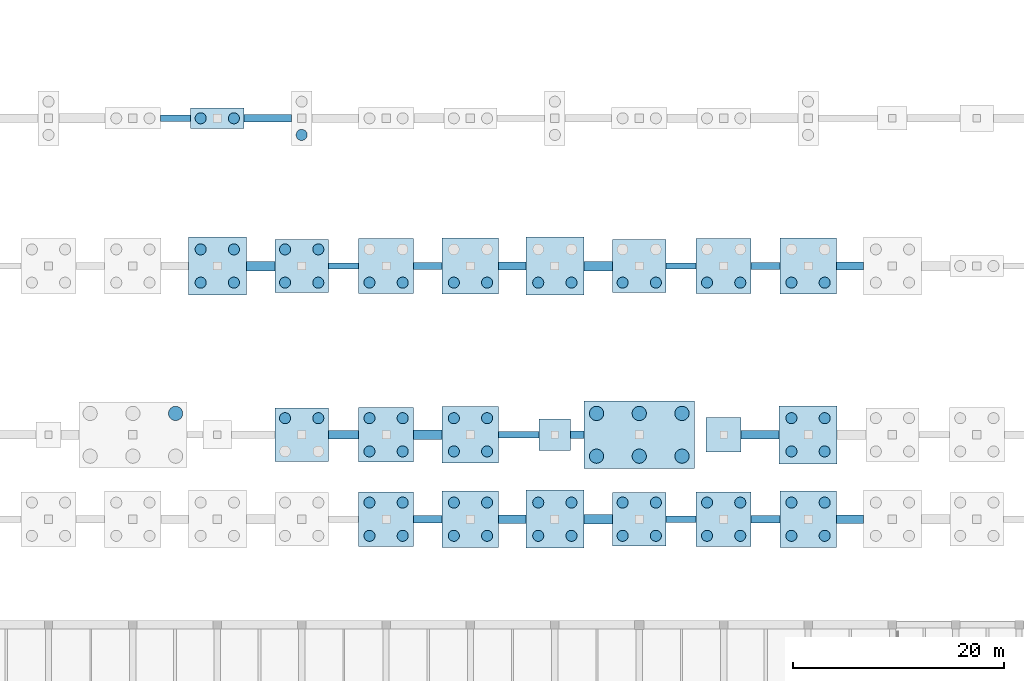
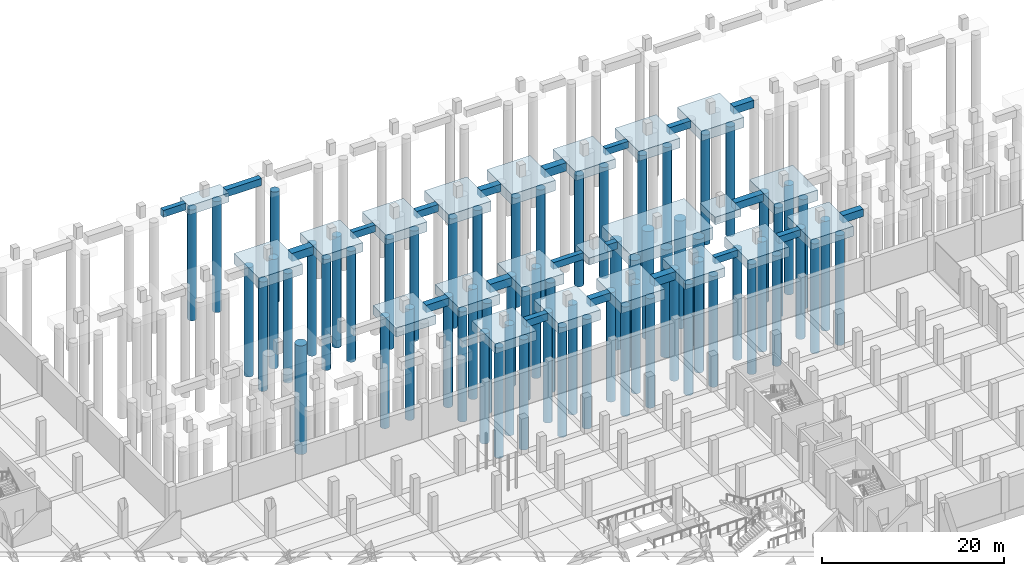
# One storey, part 2 of 36: 68 piles, 43 footings.
"""IFC4 building model written with IfcOpenShell, lengths in metres."""

from ifc_helpers import new_model, si_unit, direction, frame, origin, origin_2d, place, context, subcontext, project, spatial, rectangle, circle, extrude, material, material_profile, profile_set, type_object, element, save


model = new_model("IFC4")

# Units and contexts
model_context = context("Model", 3, precision=1e-05, world=origin(), true_north=direction((0.0, 1.0)))
body_context = subcontext(model_context, "Body", "Model", "MODEL_VIEW")
ifc_project = project(units=[si_unit("LENGTHUNIT", "METRE"), si_unit("AREAUNIT", "SQUARE_METRE"), si_unit("VOLUMEUNIT", "CUBIC_METRE"), si_unit("PLANEANGLEUNIT", "RADIAN"), si_unit("MASSUNIT", "GRAM", prefix="KILO")], contexts=[model_context])

# Site, building, storey
site_placement = place(None, origin())
site = spatial("IfcSite", under=ifc_project, at=site_placement, CompositionType="ELEMENT")
building_placement = place(site_placement, origin())
building = spatial("IfcBuilding", under=site, at=building_placement, Name="Verrall Gate Interchange", CompositionType="ELEMENT")
storey_placement = place(building_placement, frame((0.0, 0.0, -4.800048828125)))
storey = spatial("IfcBuildingStorey", under=building, at=storey_placement, Name="B1", CompositionType="ELEMENT", Elevation=-4.800048828125)

# Footings
ifc_material_1 = material(Name="Concrete CSA A23.1 35 MPa (Class S-2)", Category="concrete")
footing_type_1 = type_object("IfcFootingType", Name="PC-02A Pile Cap 5050x1950x1200", PredefinedType="PILE_CAP", material=ifc_material_1)
footing_1_placement = place(storey_placement, frame((68.0, 104.0, 2.0), z_axis=(0.0, 0.0, 1.0), x_axis=(1.0, 0.0, 0.0)))
element("IfcFooting", 1, at=footing_1_placement, inside=storey, type_object=footing_type_1, Name="Pile Cap FTG-CAP-45 (PC-02A)", PredefinedType="PILE_CAP", context=body_context, shape_type="SweptSolid", body=[
    extrude(rectangle(XDim=5.050048828125, YDim=1.949951171875, at=origin_2d()), origin(), (0.0, 0.0, 1.0), 1.199951171875),
])
ifc_material_2 = material(Name="Concrete CSA A23.1 35 MPa (Class S-2)", Category="concrete")
footing_type_2 = type_object("IfcFootingType", Name="PC-04A Pile Cap 5050x5050x1200", PredefinedType="PILE_CAP", material=ifc_material_2)
for number, where, z_axis, x_axis, name in (
    (2, (108.0, 66.0, 2.0), (0.0, 0.0, 1.0), (1.0, 0.0, 0.0), "Pile Cap FTG-CAP-11 (PC-04A)"),
    (3, (76.0, 74.0, 2.0), (0.0, 0.0, 1.0), (1.0, 0.0, 0.0), "Pile Cap FTG-CAP-19 (PC-04A)"),
    (4, (76.0, 90.0, 2.0), (0.0, 0.0, 1.0), (1.0, 0.0, 0.0), "Pile Cap FTG-CAP-31 (PC-04A)"),
    (5, (108.0, 90.0, 2.0), (0.0, 0.0, 1.0), (1.0, 0.0, 0.0), "Pile Cap FTG-CAP-35 (PC-04A)"),
):
    element("IfcFooting", number, at=place(storey_placement, frame(where, z_axis=z_axis, x_axis=x_axis)), inside=storey, type_object=footing_type_2, Name=name, PredefinedType="PILE_CAP", context=body_context, shape_type="SweptSolid", body=[
        extrude(rectangle(XDim=5.050048828125, YDim=5.050048828125, at=origin_2d()), origin(), (0.0, 0.0, 1.0), 1.199951171875),
    ])
ifc_material_3 = material(Name="Concrete CSA A23.1 35 MPa (Class S-2)", Category="concrete")
footing_type_3 = type_object("IfcFootingType", Name="PC-04B Pile Cap 5200x5200x1300", PredefinedType="PILE_CAP", material=ifc_material_3)
for number, where, z_axis, x_axis, name in (
    (6, (84.0, 66.0, 1.89990234375), (0.0, 0.0, 1.0), (1.0, 0.0, 0.0), "Pile Cap FTG-CAP-08 (PC-04B)"),
    (7, (116.0, 66.0, 1.89990234375), (0.0, 0.0, 1.0), (1.0, 0.0, 0.0), "Pile Cap FTG-CAP-12 (PC-04B)"),
    (8, (84.0, 74.0, 1.89990234375), (0.0, 0.0, 1.0), (1.0, 0.0, 0.0), "Pile Cap FTG-CAP-20 (PC-04B)"),
    (9, (84.0, 90.0, 1.89990234375), (0.0, 0.0, 1.0), (1.0, 0.0, 0.0), "Pile Cap FTG-CAP-32 (PC-04B)"),
    (10, (116.0, 90.0, 1.89990234375), (0.0, 0.0, 1.0), (1.0, 0.0, 0.0), "Pile Cap FTG-CAP-36 (PC-04B)"),
):
    element("IfcFooting", number, at=place(storey_placement, frame(where, z_axis=z_axis, x_axis=x_axis)), inside=storey, type_object=footing_type_3, Name=name, PredefinedType="PILE_CAP", context=body_context, shape_type="SweptSolid", body=[
        extrude(rectangle(XDim=5.199951171875, YDim=5.199951171875, at=origin_2d()), origin(), (0.0, 0.0, 1.0), 1.300048828125),
    ])
ifc_material_4 = material(Name="Concrete CSA A23.1 35 MPa (Class S-2)", Category="concrete")
footing_type_4 = type_object("IfcFootingType", Name="PC-04C Pile Cap 5350x5350x1350", PredefinedType="PILE_CAP", material=ifc_material_4)
for number, where, z_axis, x_axis, name in (
    (11, (92.0, 66.0, 1.85009765625), (0.0, 0.0, 1.0), (1.0, 0.0, 0.0), "Pile Cap FTG-CAP-09 (PC-04C)"),
    (12, (124.0, 66.0, 1.85009765625), (0.0, 0.0, 1.0), (1.0, 0.0, 0.0), "Pile Cap FTG-CAP-13 (PC-04C)"),
    (13, (92.0, 74.0, 1.85009765625), (0.0, 0.0, 1.0), (1.0, 0.0, 0.0), "Pile Cap FTG-CAP-21 (PC-04C)"),
    (14, (92.0, 90.0, 1.85009765625), (0.0, 0.0, 1.0), (1.0, 0.0, 0.0), "Pile Cap FTG-CAP-33 (PC-04C)"),
    (15, (124.0, 90.0, 1.85009765625), (0.0, 0.0, 1.0), (1.0, 0.0, 0.0), "Pile Cap FTG-CAP-37 (PC-04C)"),
):
    element("IfcFooting", number, at=place(storey_placement, frame(where, z_axis=z_axis, x_axis=x_axis)), inside=storey, type_object=footing_type_4, Name=name, PredefinedType="PILE_CAP", context=body_context, shape_type="SweptSolid", body=[
        extrude(rectangle(XDim=5.35009765625, YDim=5.35009765625, at=origin_2d()), origin(), (0.0, 0.0, 1.0), 1.35009765625),
    ])
ifc_material_5 = material(Name="Concrete CSA A23.1 35 MPa (Class S-2)", Category="concrete")
footing_type_5 = type_object("IfcFootingType", Name="PC-04D Pile Cap 5500x5500x1400", PredefinedType="PILE_CAP", material=ifc_material_5)
for number, where, z_axis, x_axis, name in (
    (16, (100.0, 66.0, 1.800048828125), (0.0, 0.0, 1.0), (1.0, 0.0, 0.0), "Pile Cap FTG-CAP-10 (PC-04D)"),
    (17, (124.0, 74.0, 1.800048828125), (0.0, 0.0, 1.0), (1.0, 0.0, 0.0), "Pile Cap FTG-CAP-22 (PC-04D)"),
    (18, (68.0, 90.0, 1.800048828125), (0.0, 0.0, 1.0), (1.0, 0.0, 0.0), "Pile Cap FTG-CAP-30 (PC-04D)"),
    (19, (100.0, 90.0, 1.800048828125), (0.0, 0.0, 1.0), (1.0, 0.0, 0.0), "Pile Cap FTG-CAP-34 (PC-04D)"),
):
    element("IfcFooting", number, at=place(storey_placement, frame(where, z_axis=z_axis, x_axis=x_axis)), inside=storey, type_object=footing_type_5, Name=name, PredefinedType="PILE_CAP", context=body_context, shape_type="SweptSolid", body=[
        extrude(rectangle(XDim=5.5, YDim=5.5, at=origin_2d()), origin(), (0.0, 0.0, 1.0), 1.39990234375),
    ])
ifc_material_6 = material(Name="Concrete CSA A23.1 35 MPa (Class S-2)", Category="concrete")
footing_type_6 = type_object("IfcFootingType", Name="PC-06B Pile Cap 10450x6400x1600", PredefinedType="PILE_CAP", material=ifc_material_6)
footing_2_placement = place(storey_placement, frame((108.0, 74.0, 1.60009765625), z_axis=(0.0, 0.0, 1.0), x_axis=(1.0, 0.0, 0.0)))
element("IfcFooting", 20, at=footing_2_placement, inside=storey, type_object=footing_type_6, Name="Pile Cap FTG-CAP-02 (PC-06B)", PredefinedType="PILE_CAP", context=body_context, shape_type="SweptSolid", body=[
    extrude(rectangle(XDim=10.449951171875, YDim=6.39990234375, at=origin_2d()), origin(), (0.0, 0.0, 1.0), 1.60009765625),
])
ifc_material_7 = material(Name="Concrete CSA A23.1 35 MPa (Class S-2)", Category="concrete")
footing_type_7 = type_object("IfcFootingType", Name="PF-03 Pad Footing 3000x3000x950", PredefinedType="PAD_FOOTING", material=ifc_material_7)
footing_3_placement = place(storey_placement, frame((100.0, 74.0, 2.25), z_axis=(0.0, 0.0, 1.0), x_axis=(1.0, 0.0, 0.0)))
element("IfcFooting", 21, at=footing_3_placement, inside=storey, type_object=footing_type_7, Name="Pad Footing FTG-PAD-03 (PF-03)", PredefinedType="PAD_FOOTING", context=body_context, shape_type="SweptSolid", body=[
    extrude(rectangle(XDim=3.0, YDim=3.0, at=origin_2d()), origin(), (0.0, 0.0, 1.0), 0.949951171875),
])
ifc_material_8 = material(Name="Concrete CSA A23.1 35 MPa (Class S-2)", Category="concrete")
footing_type_8 = type_object("IfcFootingType", Name="PF-04 Pad Footing 3300x3300x1000", PredefinedType="PAD_FOOTING", material=ifc_material_8)
footing_4_placement = place(storey_placement, frame((116.0, 74.0, 2.199951171875), z_axis=(0.0, 0.0, 1.0), x_axis=(1.0, 0.0, 0.0)))
element("IfcFooting", 22, at=footing_4_placement, inside=storey, type_object=footing_type_8, Name="Pad Footing FTG-PAD-04 (PF-04)", PredefinedType="PAD_FOOTING", context=body_context, shape_type="SweptSolid", body=[
    extrude(rectangle(XDim=3.300048828125, YDim=3.300048828125, at=origin_2d()), origin(), (0.0, 0.0, 1.0), 1.0),
])

# Piles
ifc_material_9 = material(Name="Concrete CSA A23.1 35 MPa (Class S-2)", Category="concrete")
ifc_material_profile_1 = material_profile(ifc_material_9, circle(Radius=0.52490234375, at=origin_2d()), Name="PILE1050D")
ifc_profile_set_1 = profile_set([ifc_material_profile_1], Name="Concrete CSA A23.1 35 MPa (Class S-2)")
pile_type_1 = type_object("IfcPileType", Name="PT-02 Bored Pile 1050", PredefinedType="BORED", material=ifc_profile_set_1)
for number, where, z_axis, x_axis, name in (
    (23, (82.425048828125, 64.425048828125, 2.050048828125), (0.0, 0.0, -1.0), (1.0, 0.0, 0.0), "Bored Rock-Socketed Pile P-297 (PT-02)"),
    (24, (82.425048828125, 67.574951171875, 2.050048828125), (0.0, 0.0, -1.0), (1.0, 0.0, 0.0), "Bored Rock-Socketed Pile P-298 (PT-02)"),
    (25, (85.574951171875, 64.425048828125, 2.050048828125), (0.0, 0.0, -1.0), (1.0, 0.0, 0.0), "Bored Rock-Socketed Pile P-299 (PT-02)"),
    (26, (85.574951171875, 67.574951171875, 2.050048828125), (0.0, 0.0, -1.0), (1.0, 0.0, 0.0), "Bored Rock-Socketed Pile P-300 (PT-02)"),
):
    element("IfcPile", number, at=place(storey_placement, frame(where, z_axis=z_axis, x_axis=x_axis)), inside=storey, type_object=pile_type_1, Name=name, PredefinedType="BORED", context=body_context, shape_type="SweptSolid", body=[
        extrude(circle(Radius=0.52490234375, at=origin_2d()), origin(), (0.0, 0.0, 1.0), 14.75),
    ])
for number, where, z_axis, x_axis, name in (
    (27, (90.425048828125, 64.425048828125, 2.0), (0.0, 0.0, -1.0), (1.0, 0.0, 0.0), "Bored Rock-Socketed Pile P-301 (PT-02)"),
    (28, (90.425048828125, 67.574951171875, 2.0), (0.0, 0.0, -1.0), (1.0, 0.0, 0.0), "Bored Rock-Socketed Pile P-302 (PT-02)"),
    (29, (93.574951171875, 64.425048828125, 2.0), (0.0, 0.0, -1.0), (1.0, 0.0, 0.0), "Bored Rock-Socketed Pile P-303 (PT-02)"),
    (30, (93.574951171875, 67.574951171875, 2.0), (0.0, 0.0, -1.0), (1.0, 0.0, 0.0), "Bored Rock-Socketed Pile P-304 (PT-02)"),
):
    element("IfcPile", number, at=place(storey_placement, frame(where, z_axis=z_axis, x_axis=x_axis)), inside=storey, type_object=pile_type_1, Name=name, PredefinedType="BORED", context=body_context, shape_type="SweptSolid", body=[
        extrude(circle(Radius=0.52490234375, at=origin_2d()), origin(), (0.0, 0.0, 1.0), 14.699951171875),
    ])
for number, where, z_axis, x_axis, name in (
    (31, (98.425048828125, 64.425048828125, 1.949951171875), (0.0, 0.0, -1.0), (1.0, 0.0, 0.0), "Bored Rock-Socketed Pile P-305 (PT-02)"),
    (32, (98.425048828125, 67.574951171875, 1.949951171875), (0.0, 0.0, -1.0), (1.0, 0.0, 0.0), "Bored Rock-Socketed Pile P-306 (PT-02)"),
    (33, (101.574951171875, 64.425048828125, 1.949951171875), (0.0, 0.0, -1.0), (1.0, 0.0, 0.0), "Bored Rock-Socketed Pile P-307 (PT-02)"),
    (34, (101.574951171875, 67.574951171875, 1.949951171875), (0.0, 0.0, -1.0), (1.0, 0.0, 0.0), "Bored Rock-Socketed Pile P-308 (PT-02)"),
):
    element("IfcPile", number, at=place(storey_placement, frame(where, z_axis=z_axis, x_axis=x_axis)), inside=storey, type_object=pile_type_1, Name=name, PredefinedType="BORED", context=body_context, shape_type="SweptSolid", body=[
        extrude(circle(Radius=0.52490234375, at=origin_2d()), origin(), (0.0, 0.0, 1.0), 14.64990234375),
    ])
for number, where, z_axis, x_axis, name in (
    (35, (106.425048828125, 64.425048828125, 2.150146484375), (0.0, 0.0, -1.0), (1.0, 0.0, 0.0), "Bored Rock-Socketed Pile P-309 (PT-02)"),
    (36, (106.425048828125, 67.574951171875, 2.150146484375), (0.0, 0.0, -1.0), (1.0, 0.0, 0.0), "Bored Rock-Socketed Pile P-310 (PT-02)"),
    (37, (109.574951171875, 64.425048828125, 2.150146484375), (0.0, 0.0, -1.0), (1.0, 0.0, 0.0), "Bored Rock-Socketed Pile P-311 (PT-02)"),
    (38, (109.574951171875, 67.574951171875, 2.150146484375), (0.0, 0.0, -1.0), (1.0, 0.0, 0.0), "Bored Rock-Socketed Pile P-312 (PT-02)"),
):
    element("IfcPile", number, at=place(storey_placement, frame(where, z_axis=z_axis, x_axis=x_axis)), inside=storey, type_object=pile_type_1, Name=name, PredefinedType="BORED", context=body_context, shape_type="SweptSolid", body=[
        extrude(circle(Radius=0.52490234375, at=origin_2d()), origin(), (0.0, 0.0, 1.0), 14.85009765625),
    ])
for number, where, z_axis, x_axis, name in (
    (39, (114.425048828125, 64.425048828125, 2.050048828125), (0.0, 0.0, -1.0), (1.0, 0.0, 0.0), "Bored Rock-Socketed Pile P-313 (PT-02)"),
    (40, (114.425048828125, 67.574951171875, 2.050048828125), (0.0, 0.0, -1.0), (1.0, 0.0, 0.0), "Bored Rock-Socketed Pile P-314 (PT-02)"),
    (41, (117.574951171875, 64.425048828125, 2.050048828125), (0.0, 0.0, -1.0), (1.0, 0.0, 0.0), "Bored Rock-Socketed Pile P-315 (PT-02)"),
    (42, (117.574951171875, 67.574951171875, 2.050048828125), (0.0, 0.0, -1.0), (1.0, 0.0, 0.0), "Bored Rock-Socketed Pile P-316 (PT-02)"),
):
    element("IfcPile", number, at=place(storey_placement, frame(where, z_axis=z_axis, x_axis=x_axis)), inside=storey, type_object=pile_type_1, Name=name, PredefinedType="BORED", context=body_context, shape_type="SweptSolid", body=[
        extrude(circle(Radius=0.52490234375, at=origin_2d()), origin(), (0.0, 0.0, 1.0), 14.75),
    ])
for number, where, z_axis, x_axis, name in (
    (43, (122.425048828125, 64.425048828125, 2.0), (0.0, 0.0, -1.0), (1.0, 0.0, 0.0), "Bored Rock-Socketed Pile P-317 (PT-02)"),
    (44, (122.425048828125, 67.574951171875, 2.0), (0.0, 0.0, -1.0), (1.0, 0.0, 0.0), "Bored Rock-Socketed Pile P-318 (PT-02)"),
    (45, (125.574951171875, 64.425048828125, 2.0), (0.0, 0.0, -1.0), (1.0, 0.0, 0.0), "Bored Rock-Socketed Pile P-319 (PT-02)"),
    (46, (125.574951171875, 67.574951171875, 2.0), (0.0, 0.0, -1.0), (1.0, 0.0, 0.0), "Bored Rock-Socketed Pile P-320 (PT-02)"),
):
    element("IfcPile", number, at=place(storey_placement, frame(where, z_axis=z_axis, x_axis=x_axis)), inside=storey, type_object=pile_type_1, Name=name, PredefinedType="BORED", context=body_context, shape_type="SweptSolid", body=[
        extrude(circle(Radius=0.52490234375, at=origin_2d()), origin(), (0.0, 0.0, 1.0), 14.699951171875),
    ])
for number, where, z_axis, x_axis, name in (
    (47, (74.425048828125, 75.574951171875, 2.150146484375), (0.0, 0.0, -1.0), (1.0, 0.0, 0.0), "Bored Rock-Socketed Pile P-342 (PT-02)"),
    (48, (77.574951171875, 75.574951171875, 2.150146484375), (0.0, 0.0, -1.0), (1.0, 0.0, 0.0), "Bored Rock-Socketed Pile P-344 (PT-02)"),
):
    element("IfcPile", number, at=place(storey_placement, frame(where, z_axis=z_axis, x_axis=x_axis)), inside=storey, type_object=pile_type_1, Name=name, PredefinedType="BORED", context=body_context, shape_type="SweptSolid", body=[
        extrude(circle(Radius=0.52490234375, at=origin_2d()), origin(), (0.0, 0.0, 1.0), 14.85009765625),
    ])
for number, where, z_axis, x_axis, name in (
    (49, (82.425048828125, 72.425048828125, 2.050048828125), (0.0, 0.0, -1.0), (1.0, 0.0, 0.0), "Bored Rock-Socketed Pile P-345 (PT-02)"),
    (50, (82.425048828125, 75.574951171875, 2.050048828125), (0.0, 0.0, -1.0), (1.0, 0.0, 0.0), "Bored Rock-Socketed Pile P-346 (PT-02)"),
    (51, (85.574951171875, 72.425048828125, 2.050048828125), (0.0, 0.0, -1.0), (1.0, 0.0, 0.0), "Bored Rock-Socketed Pile P-347 (PT-02)"),
    (52, (85.574951171875, 75.574951171875, 2.050048828125), (0.0, 0.0, -1.0), (1.0, 0.0, 0.0), "Bored Rock-Socketed Pile P-348 (PT-02)"),
):
    element("IfcPile", number, at=place(storey_placement, frame(where, z_axis=z_axis, x_axis=x_axis)), inside=storey, type_object=pile_type_1, Name=name, PredefinedType="BORED", context=body_context, shape_type="SweptSolid", body=[
        extrude(circle(Radius=0.52490234375, at=origin_2d()), origin(), (0.0, 0.0, 1.0), 14.75),
    ])
for number, where, z_axis, x_axis, name in (
    (53, (90.425048828125, 72.425048828125, 2.0), (0.0, 0.0, -1.0), (1.0, 0.0, 0.0), "Bored Rock-Socketed Pile P-349 (PT-02)"),
    (54, (90.425048828125, 75.574951171875, 2.0), (0.0, 0.0, -1.0), (1.0, 0.0, 0.0), "Bored Rock-Socketed Pile P-350 (PT-02)"),
    (55, (93.574951171875, 72.425048828125, 2.0), (0.0, 0.0, -1.0), (1.0, 0.0, 0.0), "Bored Rock-Socketed Pile P-351 (PT-02)"),
    (56, (93.574951171875, 75.574951171875, 2.0), (0.0, 0.0, -1.0), (1.0, 0.0, 0.0), "Bored Rock-Socketed Pile P-352 (PT-02)"),
):
    element("IfcPile", number, at=place(storey_placement, frame(where, z_axis=z_axis, x_axis=x_axis)), inside=storey, type_object=pile_type_1, Name=name, PredefinedType="BORED", context=body_context, shape_type="SweptSolid", body=[
        extrude(circle(Radius=0.52490234375, at=origin_2d()), origin(), (0.0, 0.0, 1.0), 14.699951171875),
    ])
for number, where, z_axis, x_axis, name in (
    (57, (122.425048828125, 72.425048828125, 1.949951171875), (0.0, 0.0, -1.0), (1.0, 0.0, 0.0), "Bored Rock-Socketed Pile P-353 (PT-02)"),
    (58, (122.425048828125, 75.574951171875, 1.949951171875), (0.0, 0.0, -1.0), (1.0, 0.0, 0.0), "Bored Rock-Socketed Pile P-354 (PT-02)"),
    (59, (125.574951171875, 72.425048828125, 1.949951171875), (0.0, 0.0, -1.0), (1.0, 0.0, 0.0), "Bored Rock-Socketed Pile P-355 (PT-02)"),
    (60, (125.574951171875, 75.574951171875, 1.949951171875), (0.0, 0.0, -1.0), (1.0, 0.0, 0.0), "Bored Rock-Socketed Pile P-356 (PT-02)"),
    (61, (66.425048828125, 88.425048828125, 1.949951171875), (0.0, 0.0, -1.0), (1.0, 0.0, 0.0), "Bored Rock-Socketed Pile P-385 (PT-02)"),
    (62, (66.425048828125, 91.574951171875, 1.949951171875), (0.0, 0.0, -1.0), (1.0, 0.0, 0.0), "Bored Rock-Socketed Pile P-386 (PT-02)"),
    (63, (69.574951171875, 88.425048828125, 1.949951171875), (0.0, 0.0, -1.0), (1.0, 0.0, 0.0), "Bored Rock-Socketed Pile P-387 (PT-02)"),
    (64, (69.574951171875, 91.574951171875, 1.949951171875), (0.0, 0.0, -1.0), (1.0, 0.0, 0.0), "Bored Rock-Socketed Pile P-388 (PT-02)"),
):
    element("IfcPile", number, at=place(storey_placement, frame(where, z_axis=z_axis, x_axis=x_axis)), inside=storey, type_object=pile_type_1, Name=name, PredefinedType="BORED", context=body_context, shape_type="SweptSolid", body=[
        extrude(circle(Radius=0.52490234375, at=origin_2d()), origin(), (0.0, 0.0, 1.0), 14.64990234375),
    ])
for number, where, z_axis, x_axis, name in (
    (65, (74.425048828125, 88.425048828125, 2.150146484375), (0.0, 0.0, -1.0), (1.0, 0.0, 0.0), "Bored Rock-Socketed Pile P-389 (PT-02)"),
    (66, (74.425048828125, 91.574951171875, 2.150146484375), (0.0, 0.0, -1.0), (1.0, 0.0, 0.0), "Bored Rock-Socketed Pile P-390 (PT-02)"),
    (67, (77.574951171875, 88.425048828125, 2.150146484375), (0.0, 0.0, -1.0), (1.0, 0.0, 0.0), "Bored Rock-Socketed Pile P-391 (PT-02)"),
    (68, (77.574951171875, 91.574951171875, 2.150146484375), (0.0, 0.0, -1.0), (1.0, 0.0, 0.0), "Bored Rock-Socketed Pile P-392 (PT-02)"),
):
    element("IfcPile", number, at=place(storey_placement, frame(where, z_axis=z_axis, x_axis=x_axis)), inside=storey, type_object=pile_type_1, Name=name, PredefinedType="BORED", context=body_context, shape_type="SweptSolid", body=[
        extrude(circle(Radius=0.52490234375, at=origin_2d()), origin(), (0.0, 0.0, 1.0), 14.85009765625),
    ])
for number, where, z_axis, x_axis, name in (
    (69, (82.425048828125, 88.425048828125, 2.050048828125), (0.0, 0.0, -1.0), (1.0, 0.0, 0.0), "Bored Rock-Socketed Pile P-393 (PT-02)"),
    (70, (85.574951171875, 88.425048828125, 2.050048828125), (0.0, 0.0, -1.0), (1.0, 0.0, 0.0), "Bored Rock-Socketed Pile P-395 (PT-02)"),
):
    element("IfcPile", number, at=place(storey_placement, frame(where, z_axis=z_axis, x_axis=x_axis)), inside=storey, type_object=pile_type_1, Name=name, PredefinedType="BORED", context=body_context, shape_type="SweptSolid", body=[
        extrude(circle(Radius=0.52490234375, at=origin_2d()), origin(), (0.0, 0.0, 1.0), 14.75),
    ])
for number, where, z_axis, x_axis, name in (
    (71, (90.425048828125, 88.425048828125, 2.0), (0.0, 0.0, -1.0), (1.0, 0.0, 0.0), "Bored Rock-Socketed Pile P-397 (PT-02)"),
    (72, (93.574951171875, 88.425048828125, 2.0), (0.0, 0.0, -1.0), (1.0, 0.0, 0.0), "Bored Rock-Socketed Pile P-399 (PT-02)"),
):
    element("IfcPile", number, at=place(storey_placement, frame(where, z_axis=z_axis, x_axis=x_axis)), inside=storey, type_object=pile_type_1, Name=name, PredefinedType="BORED", context=body_context, shape_type="SweptSolid", body=[
        extrude(circle(Radius=0.52490234375, at=origin_2d()), origin(), (0.0, 0.0, 1.0), 14.699951171875),
    ])
for number, where, z_axis, x_axis, name in (
    (73, (98.425048828125, 88.425048828125, 1.949951171875), (0.0, 0.0, -1.0), (1.0, 0.0, 0.0), "Bored Rock-Socketed Pile P-401 (PT-02)"),
    (74, (101.574951171875, 88.425048828125, 1.949951171875), (0.0, 0.0, -1.0), (1.0, 0.0, 0.0), "Bored Rock-Socketed Pile P-403 (PT-02)"),
):
    element("IfcPile", number, at=place(storey_placement, frame(where, z_axis=z_axis, x_axis=x_axis)), inside=storey, type_object=pile_type_1, Name=name, PredefinedType="BORED", context=body_context, shape_type="SweptSolid", body=[
        extrude(circle(Radius=0.52490234375, at=origin_2d()), origin(), (0.0, 0.0, 1.0), 14.64990234375),
    ])
for number, where, z_axis, x_axis, name in (
    (75, (106.425048828125, 88.425048828125, 2.150146484375), (0.0, 0.0, -1.0), (1.0, 0.0, 0.0), "Bored Rock-Socketed Pile P-405 (PT-02)"),
    (76, (109.574951171875, 88.425048828125, 2.150146484375), (0.0, 0.0, -1.0), (1.0, 0.0, 0.0), "Bored Rock-Socketed Pile P-407 (PT-02)"),
):
    element("IfcPile", number, at=place(storey_placement, frame(where, z_axis=z_axis, x_axis=x_axis)), inside=storey, type_object=pile_type_1, Name=name, PredefinedType="BORED", context=body_context, shape_type="SweptSolid", body=[
        extrude(circle(Radius=0.52490234375, at=origin_2d()), origin(), (0.0, 0.0, 1.0), 14.85009765625),
    ])
for number, where, z_axis, x_axis, name in (
    (77, (114.425048828125, 88.425048828125, 2.050048828125), (0.0, 0.0, -1.0), (1.0, 0.0, 0.0), "Bored Rock-Socketed Pile P-409 (PT-02)"),
    (78, (117.574951171875, 88.425048828125, 2.050048828125), (0.0, 0.0, -1.0), (1.0, 0.0, 0.0), "Bored Rock-Socketed Pile P-411 (PT-02)"),
):
    element("IfcPile", number, at=place(storey_placement, frame(where, z_axis=z_axis, x_axis=x_axis)), inside=storey, type_object=pile_type_1, Name=name, PredefinedType="BORED", context=body_context, shape_type="SweptSolid", body=[
        extrude(circle(Radius=0.52490234375, at=origin_2d()), origin(), (0.0, 0.0, 1.0), 14.75),
    ])
for number, where, z_axis, x_axis, name in (
    (79, (122.425048828125, 88.425048828125, 2.0), (0.0, 0.0, -1.0), (1.0, 0.0, 0.0), "Bored Rock-Socketed Pile P-413 (PT-02)"),
    (80, (125.574951171875, 88.425048828125, 2.0), (0.0, 0.0, -1.0), (1.0, 0.0, 0.0), "Bored Rock-Socketed Pile P-415 (PT-02)"),
):
    element("IfcPile", number, at=place(storey_placement, frame(where, z_axis=z_axis, x_axis=x_axis)), inside=storey, type_object=pile_type_1, Name=name, PredefinedType="BORED", context=body_context, shape_type="SweptSolid", body=[
        extrude(circle(Radius=0.52490234375, at=origin_2d()), origin(), (0.0, 0.0, 1.0), 14.699951171875),
    ])
for number, where, z_axis, x_axis, name in (
    (81, (66.425048828125, 104.0, 2.150146484375), (0.0, 0.0, -1.0), (1.0, 0.0, 0.0), "Bored Rock-Socketed Pile P-433 (PT-02)"),
    (82, (69.574951171875, 104.0, 2.150146484375), (0.0, 0.0, -1.0), (1.0, 0.0, 0.0), "Bored Rock-Socketed Pile P-434 (PT-02)"),
):
    element("IfcPile", number, at=place(storey_placement, frame(where, z_axis=z_axis, x_axis=x_axis)), inside=storey, type_object=pile_type_1, Name=name, PredefinedType="BORED", context=body_context, shape_type="SweptSolid", body=[
        extrude(circle(Radius=0.52490234375, at=origin_2d()), origin(), (0.0, 0.0, 1.0), 14.85009765625),
    ])
pile_1_placement = place(storey_placement, frame((76.0, 102.425048828125, 2.130126953125), z_axis=(0.0, 0.0, -1.0), x_axis=(1.0, 0.0, 0.0)))
element("IfcPile", 83, at=pile_1_placement, inside=storey, type_object=pile_type_1, Name="Bored Rock-Socketed Pile P-435 (PT-02)", PredefinedType="BORED", context=body_context, shape_type="SweptSolid", body=[
    extrude(circle(Radius=0.52490234375, at=origin_2d()), origin(), (0.0, 0.0, 1.0), 14.830078125),
])
ifc_material_10 = material(Name="Concrete CSA A23.1 35 MPa (Class S-2)", Category="concrete")
ifc_material_profile_2 = material_profile(ifc_material_10, circle(Radius=0.675048828125, at=origin_2d()), Name="PILE1350D")
ifc_profile_set_2 = profile_set([ifc_material_profile_2], Name="Concrete CSA A23.1 35 MPa (Class S-2)")
pile_type_2 = type_object("IfcPileType", Name="PT-03 Bored Pile 1350", PredefinedType="BORED", material=ifc_profile_set_2)
pile_2_placement = place(storey_placement, frame((64.050048828125, 76.02490234375, 1.85009765625), z_axis=(0.0, 0.0, -1.0), x_axis=(1.0, 0.0, 0.0)))
element("IfcPile", 84, at=pile_2_placement, inside=storey, type_object=pile_type_2, Name="Bored Rock-Socketed Pile P-270 (PT-03)", PredefinedType="BORED", context=body_context, shape_type="SweptSolid", body=[
    extrude(circle(Radius=0.675048828125, at=origin_2d()), origin(), (0.0, 0.0, 1.0), 14.550048828125),
])
for number, where, z_axis, x_axis, name in (
    (85, (103.949951171875, 71.97509765625, 1.75), (0.0, 0.0, -1.0), (1.0, 0.0, 0.0), "Bored Rock-Socketed Pile P-271 (PT-03)"),
    (86, (103.949951171875, 76.02490234375, 1.75), (0.0, 0.0, -1.0), (1.0, 0.0, 0.0), "Bored Rock-Socketed Pile P-272 (PT-03)"),
    (87, (108.0, 71.97509765625, 1.75), (0.0, 0.0, -1.0), (1.0, 0.0, 0.0), "Bored Rock-Socketed Pile P-273 (PT-03)"),
    (88, (108.0, 76.02490234375, 1.75), (0.0, 0.0, -1.0), (1.0, 0.0, 0.0), "Bored Rock-Socketed Pile P-274 (PT-03)"),
    (89, (112.050048828125, 71.97509765625, 1.75), (0.0, 0.0, -1.0), (1.0, 0.0, 0.0), "Bored Rock-Socketed Pile P-275 (PT-03)"),
    (90, (112.050048828125, 76.02490234375, 1.75), (0.0, 0.0, -1.0), (1.0, 0.0, 0.0), "Bored Rock-Socketed Pile P-276 (PT-03)"),
):
    element("IfcPile", number, at=place(storey_placement, frame(where, z_axis=z_axis, x_axis=x_axis)), inside=storey, type_object=pile_type_2, Name=name, PredefinedType="BORED", context=body_context, shape_type="SweptSolid", body=[
        extrude(circle(Radius=0.675048828125, at=origin_2d()), origin(), (0.0, 0.0, 1.0), 14.449951171875),
    ])

# Footings
ifc_material_11 = material(Name="Concrete CSA A23.1 35 MPa (Class S-2)", Category="concrete")
footing_type_9 = type_object("IfcFootingType", Name="SF-01 Strip Footing 600x900", PredefinedType="STRIP_FOOTING", material=ifc_material_11)
footing_5_placement = place(storey_placement, frame((111.96240234375, 66.0, 2.300048828125), z_axis=(0.0, 0.0, 1.0), x_axis=(1.0, 0.0, 0.0)))
element("IfcFooting", 91, at=footing_5_placement, inside=storey, type_object=footing_type_9, Name="Grade Strip Footing FTG-SF-09", PredefinedType="STRIP_FOOTING", context=body_context, shape_type="SweptSolid", body=[
    extrude(rectangle(XDim=2.875, YDim=0.60009765625, at=origin_2d()), origin(), (0.0, 0.0, 1.0), 0.89990234375),
])
footing_6_placement = place(storey_placement, frame((96.58740234375, 74.0, 2.300048828125), z_axis=(0.0, 0.0, 1.0), x_axis=(1.0, 0.0, 0.0)))
element("IfcFooting", 92, at=footing_6_placement, inside=storey, type_object=footing_type_9, Name="Grade Strip Footing FTG-SF-21", PredefinedType="STRIP_FOOTING", context=body_context, shape_type="SweptSolid", body=[
    extrude(rectangle(XDim=3.824951171875, YDim=0.60009765625, at=origin_2d()), origin(), (0.0, 0.0, 1.0), 0.89990234375),
])
for number, where, z_axis, x_axis, name in (
    (93, (79.96240234375, 90.0, 2.300048828125), (0.0, 0.0, 1.0), (1.0, 0.0, 0.0), "Grade Strip Footing FTG-SF-33"),
    (94, (111.96240234375, 90.0, 2.300048828125), (0.0, 0.0, 1.0), (1.0, 0.0, 0.0), "Grade Strip Footing FTG-SF-37"),
):
    element("IfcFooting", number, at=place(storey_placement, frame(where, z_axis=z_axis, x_axis=x_axis)), inside=storey, type_object=footing_type_9, Name=name, PredefinedType="STRIP_FOOTING", context=body_context, shape_type="SweptSolid", body=[
        extrude(rectangle(XDim=2.875, YDim=0.60009765625, at=origin_2d()), origin(), (0.0, 0.0, 1.0), 0.89990234375),
    ])
footing_7_placement = place(storey_placement, frame((64.050048828125, 104.0, 2.300048828125), z_axis=(0.0, 0.0, 1.0), x_axis=(1.0, 0.0, 0.0)))
element("IfcFooting", 95, at=footing_7_placement, inside=storey, type_object=footing_type_9, Name="Grade Strip Footing FTG-SF-49", PredefinedType="STRIP_FOOTING", context=body_context, shape_type="SweptSolid", body=[
    extrude(rectangle(XDim=2.85009765625, YDim=0.60009765625, at=origin_2d()), origin(), (0.0, 0.0, 1.0), 0.89990234375),
])
ifc_material_12 = material(Name="Concrete CSA A23.1 35 MPa (Class S-2)", Category="concrete")
footing_type_10 = type_object("IfcFootingType", Name="SF-02 Strip Footing 700x950", PredefinedType="STRIP_FOOTING", material=ifc_material_12)
for number, where, z_axis, x_axis, name in (
    (96, (87.96240234375, 66.0, 2.25), (0.0, 0.0, 1.0), (1.0, 0.0, 0.0), "Grade Strip Footing FTG-SF-06"),
    (97, (119.96240234375, 66.0, 2.25), (0.0, 0.0, 1.0), (1.0, 0.0, 0.0), "Grade Strip Footing FTG-SF-10"),
):
    element("IfcFooting", number, at=place(storey_placement, frame(where, z_axis=z_axis, x_axis=x_axis)), inside=storey, type_object=footing_type_10, Name=name, PredefinedType="STRIP_FOOTING", context=body_context, shape_type="SweptSolid", body=[
        extrude(rectangle(XDim=2.72509765625, YDim=0.699951171875, at=origin_2d()), origin(), (0.0, 0.0, 1.0), 0.949951171875),
    ])
footing_8_placement = place(storey_placement, frame((102.137451171875, 74.0, 2.25), z_axis=(0.0, 0.0, 1.0), x_axis=(1.0, 0.0, 0.0)))
element("IfcFooting", 98, at=footing_8_placement, inside=storey, type_object=footing_type_10, Name="Grade Strip Footing FTG-SF-22", PredefinedType="STRIP_FOOTING", context=body_context, shape_type="SweptSolid", body=[
    extrude(rectangle(XDim=1.27490234375, YDim=0.699951171875, at=origin_2d()), origin(), (0.0, 0.0, 1.0), 0.949951171875),
])
for number, where, z_axis, x_axis, name in (
    (99, (87.96240234375, 90.0, 2.25), (0.0, 0.0, 1.0), (1.0, 0.0, 0.0), "Grade Strip Footing FTG-SF-34"),
    (100, (119.96240234375, 90.0, 2.25), (0.0, 0.0, 1.0), (1.0, 0.0, 0.0), "Grade Strip Footing FTG-SF-38"),
):
    element("IfcFooting", number, at=place(storey_placement, frame(where, z_axis=z_axis, x_axis=x_axis)), inside=storey, type_object=footing_type_10, Name=name, PredefinedType="STRIP_FOOTING", context=body_context, shape_type="SweptSolid", body=[
        extrude(rectangle(XDim=2.72509765625, YDim=0.699951171875, at=origin_2d()), origin(), (0.0, 0.0, 1.0), 0.949951171875),
    ])
footing_9_placement = place(storey_placement, frame((72.77490234375, 104.0, 2.25), z_axis=(0.0, 0.0, 1.0), x_axis=(1.0, 0.0, 0.0)))
element("IfcFooting", 101, at=footing_9_placement, inside=storey, type_object=footing_type_10, Name="Grade Strip Footing FTG-SF-50", PredefinedType="STRIP_FOOTING", context=body_context, shape_type="SweptSolid", body=[
    extrude(rectangle(XDim=4.5, YDim=0.699951171875, at=origin_2d()), origin(), (0.0, 0.0, 1.0), 0.949951171875),
])
ifc_material_13 = material(Name="Concrete CSA A23.1 35 MPa (Class S-2)", Category="concrete")
footing_type_11 = type_object("IfcFootingType", Name="SF-03 Strip Footing 800x1000", PredefinedType="STRIP_FOOTING", material=ifc_material_13)
for number, where, z_axis, x_axis, name in (
    (102, (95.96240234375, 66.0, 2.199951171875), (0.0, 0.0, 1.0), (1.0, 0.0, 0.0), "Grade Strip Footing FTG-SF-07"),
    (103, (127.96240234375, 66.0, 2.199951171875), (0.0, 0.0, 1.0), (1.0, 0.0, 0.0), "Grade Strip Footing FTG-SF-11"),
):
    element("IfcFooting", number, at=place(storey_placement, frame(where, z_axis=z_axis, x_axis=x_axis)), inside=storey, type_object=footing_type_11, Name=name, PredefinedType="STRIP_FOOTING", context=body_context, shape_type="SweptSolid", body=[
        extrude(rectangle(XDim=2.574951171875, YDim=0.800048828125, at=origin_2d()), origin(), (0.0, 0.0, 1.0), 1.0),
    ])
footing_10_placement = place(storey_placement, frame((79.96240234375, 74.0, 2.199951171875), z_axis=(0.0, 0.0, 1.0), x_axis=(1.0, 0.0, 0.0)))
element("IfcFooting", 104, at=footing_10_placement, inside=storey, type_object=footing_type_11, Name="Grade Strip Footing FTG-SF-19", PredefinedType="STRIP_FOOTING", context=body_context, shape_type="SweptSolid", body=[
    extrude(rectangle(XDim=2.875, YDim=0.800048828125, at=origin_2d()), origin(), (0.0, 0.0, 1.0), 1.0),
])
footing_11_placement = place(storey_placement, frame((119.449951171875, 74.0, 2.199951171875), z_axis=(0.0, 0.0, 1.0), x_axis=(1.0, 0.0, 0.0)))
element("IfcFooting", 105, at=footing_11_placement, inside=storey, type_object=footing_type_11, Name="Grade Strip Footing FTG-SF-23", PredefinedType="STRIP_FOOTING", context=body_context, shape_type="SweptSolid", body=[
    extrude(rectangle(XDim=3.60009765625, YDim=0.800048828125, at=origin_2d()), origin(), (0.0, 0.0, 1.0), 1.0),
])
for number, where, z_axis, x_axis, name in (
    (106, (95.96240234375, 90.0, 2.199951171875), (0.0, 0.0, 1.0), (1.0, 0.0, 0.0), "Grade Strip Footing FTG-SF-35"),
    (107, (127.96240234375, 90.0, 2.199951171875), (0.0, 0.0, 1.0), (1.0, 0.0, 0.0), "Grade Strip Footing FTG-SF-39"),
):
    element("IfcFooting", number, at=place(storey_placement, frame(where, z_axis=z_axis, x_axis=x_axis)), inside=storey, type_object=footing_type_11, Name=name, PredefinedType="STRIP_FOOTING", context=body_context, shape_type="SweptSolid", body=[
        extrude(rectangle(XDim=2.574951171875, YDim=0.800048828125, at=origin_2d()), origin(), (0.0, 0.0, 1.0), 1.0),
    ])
ifc_material_14 = material(Name="Concrete CSA A23.1 35 MPa (Class S-2)", Category="concrete")
footing_type_12 = type_object("IfcFootingType", Name="SF-04 Strip Footing 900x1100", PredefinedType="STRIP_FOOTING", material=ifc_material_14)
for number, where, z_axis, x_axis, name in (
    (108, (104.112548828125, 66.0, 2.10009765625), (0.0, 0.0, 1.0), (1.0, 0.0, 0.0), "Grade Strip Footing FTG-SF-08"),
    (109, (87.96240234375, 74.0, 2.10009765625), (0.0, 0.0, 1.0), (1.0, 0.0, 0.0), "Grade Strip Footing FTG-SF-20"),
    (110, (72.112548828125, 90.0, 2.10009765625), (0.0, 0.0, 1.0), (1.0, 0.0, 0.0), "Grade Strip Footing FTG-SF-32"),
    (111, (104.112548828125, 90.0, 2.10009765625), (0.0, 0.0, 1.0), (1.0, 0.0, 0.0), "Grade Strip Footing FTG-SF-36"),
):
    element("IfcFooting", number, at=place(storey_placement, frame(where, z_axis=z_axis, x_axis=x_axis)), inside=storey, type_object=footing_type_12, Name=name, PredefinedType="STRIP_FOOTING", context=body_context, shape_type="SweptSolid", body=[
        extrude(rectangle(XDim=2.72509765625, YDim=0.89990234375, at=origin_2d()), origin(), (0.0, 0.0, 1.0), 1.10009765625),
    ])

save(model, "model.ifc")
